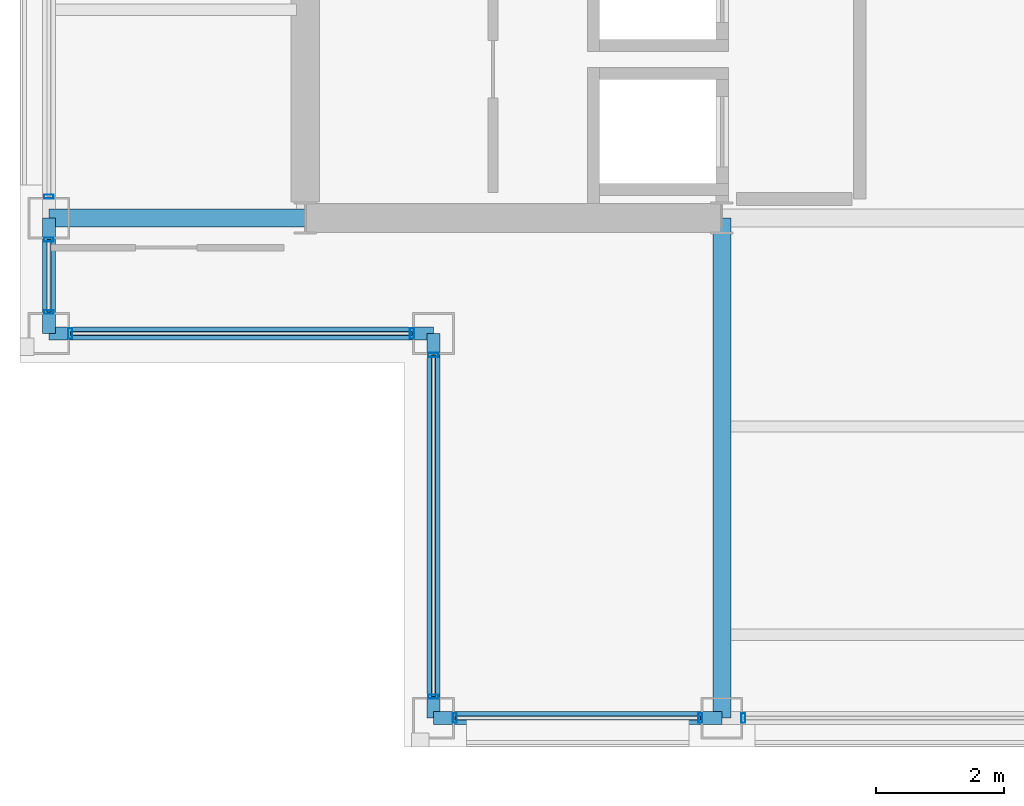
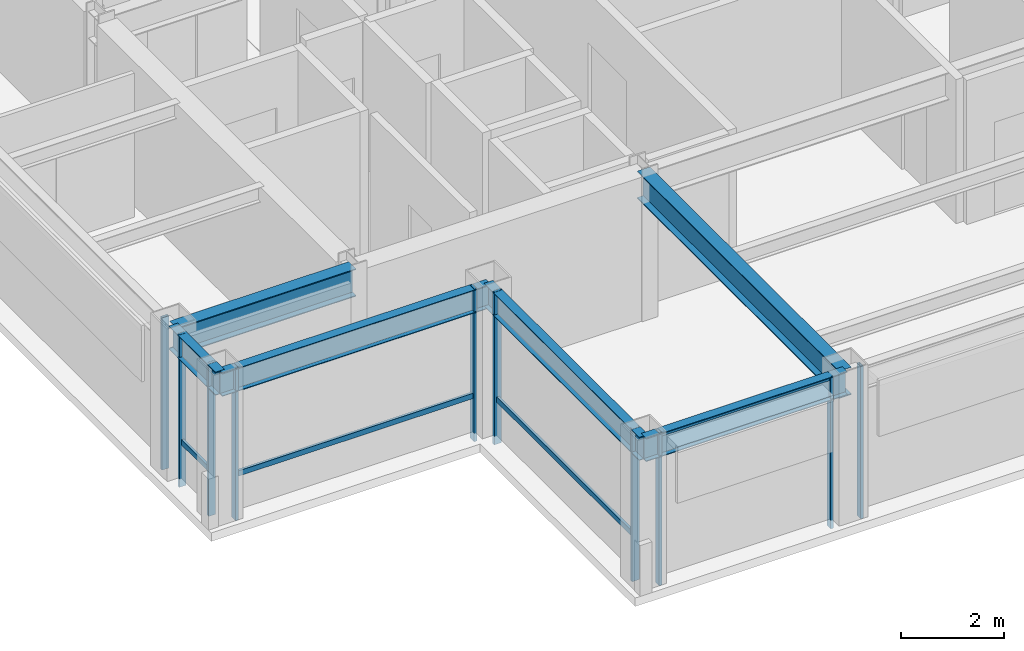
# One storey, part 2 of 23: 14 members, 6 beams, 6 elements without a shape of their own.
"""IFC4 building model written with IfcOpenShell, lengths in metres."""

import ifcopenshell
import ifcopenshell.guid

model = None  # the IFC model being written
_history = None  # IfcOwnerHistory: only IFC2X3 demands one
_inside = {}  # id of a spatial element -> (the spatial element, [elements in it])
_under = {}  # id of a project, library or spatial element -> (it, [spatial elements below it])
_declared = {}  # id of a project -> (the project, [libraries it declares])
_typed = {}  # id of a type object -> (the type object, [elements of that type])
_made_of = {}  # id of a material, layer set ... -> (it, [elements and type objects made of it])


def new_model(schema):
    """Start an empty IFC model of exactly this schema.

    Asked for "IFC4X3", IfcOpenShell would pick the latest addendum, in which some entities
    have other attributes; the version numbers below select the first issue.
    IFC2X3 requires an IfcOwnerHistory on every rooted entity: one is made here for all.
    """
    global model, _history
    if schema == "IFC4X3":
        model = ifcopenshell.file(schema_version=(4, 3, 0, 0))
    else:
        model = ifcopenshell.file(schema=schema)
    _inside.clear()
    _under.clear()
    _declared.clear()
    _typed.clear()
    _made_of.clear()
    _history = None
    if model.schema == "IFC2X3":
        org = make("IfcOrganization", Name="unknown")
        user = make(
            "IfcPersonAndOrganization",
            ThePerson=make("IfcPerson", FamilyName="unknown"),
            TheOrganization=org,
        )
        app = make(
            "IfcApplication",
            ApplicationDeveloper=org,
            Version="unknown",
            ApplicationFullName="unknown",
            ApplicationIdentifier="unknown",
        )
        _history = make(
            "IfcOwnerHistory",
            OwningUser=user,
            OwningApplication=app,
            ChangeAction="ADDED",
            CreationDate=0,
        )
    return model


def make(cls, **values):
    """One entity of the class cls with the attributes given. An attribute that is None is left unset."""
    return model.create_entity(
        cls, **{name: value for name, value in values.items() if value is not None}
    )


def rooted(cls, **values):
    """An entity with a GlobalId (a new one), such as an element, a storey or a relation."""
    return make(cls, GlobalId=ifcopenshell.guid.new(), OwnerHistory=_history, **values)


def si_unit(unit_type, name, prefix=None):
    """IfcSIUnit, for example si_unit("LENGTHUNIT", "METRE", prefix="MILLI")."""
    return make("IfcSIUnit", UnitType=unit_type, Prefix=prefix, Name=name)


def assignment(units):
    """IfcUnitAssignment: the units of a project."""
    return None if units is None else make("IfcUnitAssignment", Units=units)


def point(xyz):
    """IfcCartesianPoint."""
    return None if xyz is None else make("IfcCartesianPoint", Coordinates=xyz)


def direction(xyz):
    """IfcDirection."""
    return None if xyz is None else make("IfcDirection", DirectionRatios=xyz)


def frame(location, z_axis=None, x_axis=None):
    """IfcAxis2Placement3D, a coordinate frame: its origin and axes. An axis left out is left unset."""
    return make(
        "IfcAxis2Placement3D",
        Location=point(location),
        Axis=direction(z_axis),
        RefDirection=direction(x_axis),
    )


def frame_2d(location, x_axis=None):
    """IfcAxis2Placement2D, a coordinate frame in the plane: its origin and x axis."""
    return make(
        "IfcAxis2Placement2D", Location=point(location), RefDirection=direction(x_axis)
    )


def origin():
    """The frame at (0, 0, 0) with its axes left unset."""
    return frame((0.0, 0.0, 0.0))


def origin_2d():
    """The frame at (0, 0) in the plane with its x axis left unset."""
    return frame_2d((0.0, 0.0))


def place(relative_to, where):
    """IfcLocalPlacement: puts the frame where relative to a parent placement (None: the world)."""
    return make(
        "IfcLocalPlacement", PlacementRelTo=relative_to, RelativePlacement=where
    )


def context(
    kind, dimensions, precision=None, world=None, true_north=None, identifier=None
):
    """IfcGeometricRepresentationContext, for example the 3D "Model" context."""
    return make(
        "IfcGeometricRepresentationContext",
        ContextIdentifier=identifier,
        ContextType=kind,
        CoordinateSpaceDimension=dimensions,
        Precision=precision,
        WorldCoordinateSystem=world,
        TrueNorth=true_north,
    )


def subcontext(parent, identifier, kind, view, scale=None):
    """IfcGeometricRepresentationSubContext, for example "Body" below "Model"."""
    return make(
        "IfcGeometricRepresentationSubContext",
        ContextIdentifier=identifier,
        ContextType=kind,
        ParentContext=parent,
        TargetScale=scale,
        TargetView=view,
    )


def project(units=None, contexts=None):
    """IfcProject with its units and contexts."""
    return rooted(
        "IfcProject",
        Name="project",
        RepresentationContexts=contexts,
        UnitsInContext=assignment(units),
    )


def spatial(cls, under=None, at=None, **own):
    """A site, building, storey or space (cls), placed at a placement, below another one or the project."""
    s = rooted(cls, ObjectPlacement=at, **own)
    if under is not None:
        _under.setdefault(under.id(), (under, []))[1].append(s)
    return s


def profile(cls, at=None, kind="AREA", **sizes):
    """A parametric profile (cls). Its sizes go by their IFC names, for example OverallWidth=200.0."""
    return make(cls, ProfileType=kind, Position=at, **sizes)


def hollow_rectangle(**sizes):
    """IfcRectangleHollowProfileDef."""
    return profile("IfcRectangleHollowProfileDef", **sizes)


def i_section(**sizes):
    """IfcIShapeProfileDef."""
    return profile("IfcIShapeProfileDef", **sizes)


def extrude(swept, where, along, depth):
    """IfcExtrudedAreaSolid: the profile swept, set in the frame where, extruded along a direction by depth."""
    return make(
        "IfcExtrudedAreaSolid",
        SweptArea=swept,
        Position=where,
        ExtrudedDirection=direction(along),
        Depth=depth,
    )


def shape(context_of_items, identifier, shape_type, items):
    """IfcShapeRepresentation: the items that make up one representation, for example the "Body"."""
    return make(
        "IfcShapeRepresentation",
        ContextOfItems=context_of_items,
        RepresentationIdentifier=identifier,
        RepresentationType=shape_type,
        Items=items,
    )


def material(Name=None, Category=None):
    """IfcMaterial."""
    return make("IfcMaterial", Name=Name, Category=Category)


def layer(
    of_material, thickness, ventilated=None, Name=None, Category=None, Priority=None
):
    """IfcMaterialLayer: one layer of a wall or slab, of a material (None: an air gap)."""
    return make(
        "IfcMaterialLayer",
        Material=of_material,
        LayerThickness=thickness,
        IsVentilated=ventilated,
        Name=Name,
        Category=Category,
        Priority=Priority,
    )


def layer_set(layers, Name=None):
    """IfcMaterialLayerSet."""
    return make("IfcMaterialLayerSet", MaterialLayers=layers, LayerSetName=Name)


def material_profile(
    of_material, cross_section, Name=None, Category=None, Priority=None
):
    """IfcMaterialProfile: a cross section and its material."""
    return make(
        "IfcMaterialProfile",
        Name=Name,
        Material=of_material,
        Profile=cross_section,
        Priority=Priority,
        Category=Category,
    )


def profile_set(profiles, Name=None, composite=None):
    """IfcMaterialProfileSet."""
    return make(
        "IfcMaterialProfileSet",
        Name=Name,
        MaterialProfiles=profiles,
        CompositeProfile=composite,
    )


def made_of(thing, what):
    """Note that an element or type object is made of a material, layer set ...; save() writes the relation."""
    if what is not None:
        _made_of.setdefault(what.id(), (what, []))[1].append(thing)
    return thing


def type_object(cls, material=None, **own):
    """A type object (cls), such as IfcWallType, which elements share."""
    return made_of(rooted(cls, **own), material)


def element(
    cls,
    number,
    at=None,
    inside=None,
    cuts=None,
    type_object=None,
    material=None,
    context=None,
    identifier="Body",
    shape_type=None,
    held_by="IfcProductDefinitionShape",
    body=None,
    shapes=None,
    **own,
):
    """One element of the class cls, such as IfcWall. Its Tag is "e" and its number.

    at: its placement. inside: the storey or other place that contains it. cuts: it is an
    opening in that element (IfcRelVoidsElement). A single representation is given by context,
    identifier, shape_type and body (its items); several are given by shapes. held_by: the class
    of the entity that holds the representations. save() writes the other relations.
    """
    e = rooted(cls, Tag="e%d" % number, ObjectPlacement=at, **own)
    if body is not None:
        shapes = [shape(context, identifier, shape_type, body)]
    if shapes is not None:
        e.Representation = make(held_by, Representations=shapes)
    if inside is not None:
        _inside.setdefault(inside.id(), (inside, []))[1].append(e)
    if cuts is not None:
        rooted(
            "IfcRelVoidsElement", RelatingBuildingElement=cuts, RelatedOpeningElement=e
        )
    if type_object is not None:
        _typed.setdefault(type_object.id(), (type_object, []))[1].append(e)
    return made_of(e, material)


def aggregate(whole, parts):
    """IfcRelAggregates: a whole, such as a stair, and the parts it consists of."""
    return rooted("IfcRelAggregates", RelatingObject=whole, RelatedObjects=parts)


def save(model, path):
    """Write the relations noted so far, then the file.

    IfcRelAggregates (storeys below a building ...), IfcRelContainedInSpatialStructure (elements
    in a storey), IfcRelDefinesByType, IfcRelAssociatesMaterial and IfcRelDeclares: one each for
    every whole, place, type object, material and project.
    """
    for whole, parts in _under.values():
        aggregate(whole, parts)
    for where, things in _inside.values():
        rooted(
            "IfcRelContainedInSpatialStructure",
            RelatedElements=things,
            RelatingStructure=where,
        )
    for kind, things in _typed.values():
        rooted("IfcRelDefinesByType", RelatedObjects=things, RelatingType=kind)
    for what, things in _made_of.values():
        rooted("IfcRelAssociatesMaterial", RelatedObjects=things, RelatingMaterial=what)
    for by, libraries in _declared.values():
        rooted("IfcRelDeclares", RelatingContext=by, RelatedDefinitions=libraries)
    model.write(path)


model = new_model("IFC4")

# Units and contexts
model_context = context("Model", 3, precision=1e-05, world=origin(), true_north=direction((0.0, 1.0)))
body_context = subcontext(model_context, "Body", "Model", "MODEL_VIEW")
ifc_project = project(units=[si_unit("LENGTHUNIT", "METRE"), si_unit("AREAUNIT", "SQUARE_METRE"), si_unit("VOLUMEUNIT", "CUBIC_METRE"), si_unit("PLANEANGLEUNIT", "RADIAN"), si_unit("MASSUNIT", "GRAM", prefix="KILO")], contexts=[model_context])

# Site, building, storey
site_placement = place(None, origin())
site = spatial("IfcSite", under=ifc_project, at=site_placement, CompositionType="ELEMENT")
building_placement = place(site_placement, origin())
building = spatial("IfcBuilding", under=site, at=building_placement, Name="Brelmoor Portico Tower", CompositionType="ELEMENT")
storey_placement = place(building_placement, frame((0.0, 0.0, 222.0)))
storey = spatial("IfcBuildingStorey", under=building, at=storey_placement, Name="L58", CompositionType="ELEMENT", Elevation=222.0)

# Beams
ifc_material_1 = material(Name="Steel Q355B", Category="steel")
ifc_material_profile_1 = material_profile(ifc_material_1, i_section(OverallWidth=0.280029296875, OverallDepth=0.64990234375, WebThickness=0.012939453125, FlangeThickness=0.02197265625, at=origin_2d()), Name="HN 650x280x13x22")
ifc_profile_set_1 = profile_set([ifc_material_profile_1], Name="Steel Q355B")
beam_type_1 = type_object("IfcBeamType", Name="BM-PG-650", PredefinedType="BEAM", material=ifc_profile_set_1)
beam_1_placement = place(storey_placement, frame((-8.050048828125, -17.550048828125, 3.074951171875), z_axis=(0.0, 1.0, 0.0), x_axis=(-1.0, 0.0, 0.0)))
element("IfcBeam", 1, at=beam_1_placement, inside=storey, type_object=beam_type_1, Name="L58 Primary Floor Girder PG-03", PredefinedType="BEAM", context=body_context, shape_type="SweptSolid", body=[
    extrude(i_section(OverallWidth=0.280029296875, OverallDepth=0.64990234375, WebThickness=0.012939453125, FlangeThickness=0.02197265625, at=origin_2d()), origin(), (0.0, 0.0, 1.0), 7.800048828125),
])
beam_2_placement = place(storey_placement, frame((-18.550048828125, -9.75, 3.074951171875), z_axis=(1.0, 0.0, 0.0), x_axis=(0.0, 1.0, 0.0)))
element("IfcBeam", 2, at=beam_2_placement, inside=storey, type_object=beam_type_1, Name="L58 Primary Floor Girder PG-11", PredefinedType="BEAM", context=body_context, shape_type="SweptSolid", body=[
    extrude(i_section(OverallWidth=0.280029296875, OverallDepth=0.64990234375, WebThickness=0.012939453125, FlangeThickness=0.02197265625, at=origin_2d()), origin(), (0.0, 0.0, 1.0), 4.0),
])
ifc_material_profile_2 = material_profile(ifc_material_1, i_section(OverallWidth=0.199951171875, OverallDepth=0.550048828125, WebThickness=0.010009765625, FlangeThickness=0.01611328125, at=origin_2d()), Name="HN 550x200x10x16")
ifc_profile_set_2 = profile_set([ifc_material_profile_2], Name="Steel Q355B")
beam_type_2 = type_object("IfcBeamType", Name="BM-SP-550", PredefinedType="SPANDREL", material=ifc_profile_set_2)
beam_3_placement = place(storey_placement, frame((-12.550048828125, -17.550048828125, 3.125), z_axis=(1.0, 0.0, 0.0), x_axis=(0.0, 1.0, 0.0)))
element("IfcBeam", 3, at=beam_3_placement, inside=storey, type_object=beam_type_2, Name="L58 Perimeter Spandrel Beam SP-01", PredefinedType="SPANDREL", context=body_context, shape_type="SweptSolid", body=[
    extrude(i_section(OverallWidth=0.199951171875, OverallDepth=0.550048828125, WebThickness=0.010009765625, FlangeThickness=0.01611328125, at=origin_2d()), origin(), (0.0, 0.0, 1.0), 4.5),
])
beam_4_placement = place(storey_placement, frame((-18.550048828125, -11.550048828125, 3.125), z_axis=(1.0, 0.0, 0.0), x_axis=(0.0, 1.0, 0.0)))
element("IfcBeam", 4, at=beam_4_placement, inside=storey, type_object=beam_type_2, Name="L58 Perimeter Spandrel Beam SP-04", PredefinedType="SPANDREL", context=body_context, shape_type="SweptSolid", body=[
    extrude(i_section(OverallWidth=0.199951171875, OverallDepth=0.550048828125, WebThickness=0.010009765625, FlangeThickness=0.01611328125, at=origin_2d()), origin(), (0.0, 0.0, 1.0), 6.0),
])
beam_5_placement = place(storey_placement, frame((-18.550048828125, -11.550048828125, 3.125), z_axis=(0.0, 1.0, 0.0), x_axis=(-1.0, 0.0, 0.0)))
element("IfcBeam", 5, at=beam_5_placement, inside=storey, type_object=beam_type_2, Name="L58 Perimeter Spandrel Beam SP-11", PredefinedType="SPANDREL", context=body_context, shape_type="SweptSolid", body=[
    extrude(i_section(OverallWidth=0.199951171875, OverallDepth=0.550048828125, WebThickness=0.010009765625, FlangeThickness=0.01611328125, at=origin_2d()), origin(), (0.0, 0.0, 1.0), 1.800048828125),
])
beam_6_placement = place(storey_placement, frame((-12.550048828125, -17.550048828125, 3.125), z_axis=(0.0, 1.0, 0.0), x_axis=(-1.0, 0.0, 0.0)))
element("IfcBeam", 6, at=beam_6_placement, inside=storey, type_object=beam_type_2, Name="L58 Perimeter Spandrel Beam SP-14", PredefinedType="SPANDREL", context=body_context, shape_type="SweptSolid", body=[
    extrude(i_section(OverallWidth=0.199951171875, OverallDepth=0.550048828125, WebThickness=0.010009765625, FlangeThickness=0.01611328125, at=origin_2d()), origin(), (0.0, 0.0, 1.0), 6.0),
])

# Curtain wall, members
ifc_material_2 = material(Name="Anodised Aluminium Alloy 6063-T6", Category="aluminium")
ifc_layer_1 = layer(ifc_material_2, 0.179931640625)
ifc_layer_set_1 = layer_set([ifc_layer_1], Name="Anodised Aluminium Alloy 6063-T6")
curtain_wall_type_1 = type_object("IfcCurtainWallType", Name="CW-TOWER-Z4-XB", PredefinedType="NOTDEFINED", material=ifc_layer_set_1)
curtain_wall_1_placement = place(storey_placement, origin())
curtain_wall_1 = element("IfcCurtainWall", 7, at=curtain_wall_1_placement, inside=storey, type_object=curtain_wall_type_1, Name="L58 Curtain Wall CW-L58-01-1", PredefinedType="NOTDEFINED")
ifc_material_profile_3 = material_profile(ifc_material_2, hollow_rectangle(XDim=0.06005859375, YDim=0.14990234375, WallThickness=0.00390625, at=origin_2d()), Name="ALU MULLION 60x150")
ifc_profile_set_3 = profile_set([ifc_material_profile_3], Name="Anodised Aluminium Alloy 6063-T6")
member_type_1 = type_object("IfcMemberType", Name="MB-CW-MULL-150", PredefinedType="MULLION", material=ifc_profile_set_3)
member_1_placement = place(storey_placement, frame((-12.215087890625, -17.550048828125, -0.199951171875), z_axis=(0.0, 0.0, 1.0), x_axis=(1.0, 0.0, 0.0)))
member_1 = element("IfcMember", 8, at=member_1_placement, type_object=member_type_1, Name="CW-L58-01-1 Mullion 00", PredefinedType="MULLION", context=body_context, shape_type="SweptSolid", body=[
    extrude(hollow_rectangle(XDim=0.06005859375, YDim=0.14990234375, WallThickness=0.00390625, at=origin_2d()), origin(), (0.0, 0.0, 1.0), 3.599853515625),
])
member_2_placement = place(storey_placement, frame((-8.385009765625, -17.550048828125, -0.199951171875), z_axis=(0.0, 0.0, 1.0), x_axis=(1.0, 0.0, 0.0)))
member_2 = element("IfcMember", 9, at=member_2_placement, type_object=member_type_1, Name="CW-L58-01-1 Mullion 01", PredefinedType="MULLION", context=body_context, shape_type="SweptSolid", body=[
    extrude(hollow_rectangle(XDim=0.06005859375, YDim=0.14990234375, WallThickness=0.00390625, at=origin_2d()), origin(), (0.0, 0.0, 1.0), 3.599853515625),
])

# Curtain wall, member
curtain_wall_2_placement = place(storey_placement, origin())
curtain_wall_2 = element("IfcCurtainWall", 10, at=curtain_wall_2_placement, inside=storey, type_object=curtain_wall_type_1, Name="L58 Curtain Wall CW-L58-01-2", PredefinedType="NOTDEFINED")
member_3_placement = place(storey_placement, frame((-7.715087890625, -17.550048828125, -0.199951171875), z_axis=(0.0, 0.0, 1.0), x_axis=(1.0, 0.0, 0.0)))
member_3 = element("IfcMember", 11, at=member_3_placement, type_object=member_type_1, Name="CW-L58-01-2 Mullion 00", PredefinedType="MULLION", context=body_context, shape_type="SweptSolid", body=[
    extrude(hollow_rectangle(XDim=0.06005859375, YDim=0.14990234375, WallThickness=0.00390625, at=origin_2d()), origin(), (0.0, 0.0, 1.0), 3.599853515625),
])
aggregate(curtain_wall_2, [member_3])

# Curtain wall, members
ifc_layer_2 = layer(ifc_material_2, 0.179931640625)
ifc_layer_set_2 = layer_set([ifc_layer_2], Name="Anodised Aluminium Alloy 6063-T6")
curtain_wall_type_2 = type_object("IfcCurtainWallType", Name="CW-TOWER-Z4", PredefinedType="NOTDEFINED", material=ifc_layer_set_2)
curtain_wall_3_placement = place(storey_placement, origin())
curtain_wall_3 = element("IfcCurtainWall", 12, at=curtain_wall_3_placement, inside=storey, type_object=curtain_wall_type_2, Name="L58 Curtain Wall CW-L58-03-1", PredefinedType="NOTDEFINED")
member_4_placement = place(storey_placement, frame((-18.550048828125, -11.215087890625, -0.199951171875), z_axis=(0.0, 0.0, 1.0), x_axis=(0.0, 1.0, 0.0)))
member_4 = element("IfcMember", 13, at=member_4_placement, type_object=member_type_1, Name="CW-L58-03-1 Mullion 00", PredefinedType="MULLION", context=body_context, shape_type="SweptSolid", body=[
    extrude(hollow_rectangle(XDim=0.06005859375, YDim=0.14990234375, WallThickness=0.00390625, at=origin_2d()), origin(), (0.0, 0.0, 1.0), 3.599853515625),
])
member_5_placement = place(storey_placement, frame((-18.550048828125, -10.0849609375, -0.199951171875), z_axis=(0.0, 0.0, 1.0), x_axis=(0.0, 1.0, 0.0)))
member_5 = element("IfcMember", 14, at=member_5_placement, type_object=member_type_1, Name="CW-L58-03-1 Mullion 01", PredefinedType="MULLION", context=body_context, shape_type="SweptSolid", body=[
    extrude(hollow_rectangle(XDim=0.06005859375, YDim=0.14990234375, WallThickness=0.00390625, at=origin_2d()), origin(), (0.0, 0.0, 1.0), 3.599853515625),
])

# Curtain wall, member
curtain_wall_4_placement = place(storey_placement, origin())
curtain_wall_4 = element("IfcCurtainWall", 15, at=curtain_wall_4_placement, inside=storey, type_object=curtain_wall_type_1, Name="L58 Curtain Wall CW-L58-03-2", PredefinedType="NOTDEFINED")
member_6_placement = place(storey_placement, frame((-18.550048828125, -9.4150390625, -0.199951171875), z_axis=(0.0, 0.0, 1.0), x_axis=(0.0, 1.0, 0.0)))
member_6 = element("IfcMember", 16, at=member_6_placement, type_object=member_type_1, Name="CW-L58-03-2 Mullion 00", PredefinedType="MULLION", context=body_context, shape_type="SweptSolid", body=[
    extrude(hollow_rectangle(XDim=0.06005859375, YDim=0.14990234375, WallThickness=0.00390625, at=origin_2d()), origin(), (0.0, 0.0, 1.0), 3.599853515625),
])
aggregate(curtain_wall_4, [member_6])

# Curtain wall, members
ifc_layer_3 = layer(ifc_material_2, 0.179931640625)
ifc_layer_set_3 = layer_set([ifc_layer_3], Name="Anodised Aluminium Alloy 6063-T6")
curtain_wall_type_3 = type_object("IfcCurtainWallType", Name="CW-NOTCH-CHAMFER", PredefinedType="NOTDEFINED", material=ifc_layer_set_3)
curtain_wall_5_placement = place(storey_placement, origin())
curtain_wall_5 = element("IfcCurtainWall", 17, at=curtain_wall_5_placement, inside=storey, type_object=curtain_wall_type_3, Name="L58 Curtain Wall CWN-L58-SWH", PredefinedType="NOTDEFINED")
ifc_material_profile_4 = material_profile(ifc_material_2, hollow_rectangle(XDim=0.06494140625, YDim=0.1650390625, WallThickness=0.00390625, at=origin_2d()), Name="ALU MULLION 65x165")
ifc_profile_set_4 = profile_set([ifc_material_profile_4], Name="Anodised Aluminium Alloy 6063-T6")
member_type_2 = type_object("IfcMemberType", Name="MB-CW-MULL-165", PredefinedType="MULLION", material=ifc_profile_set_4)
member_7_placement = place(storey_placement, frame((-18.215087890625, -11.550048828125, -0.199951171875), z_axis=(0.0, 0.0, 1.0), x_axis=(1.0, 0.0, 0.0)))
member_7 = element("IfcMember", 18, at=member_7_placement, type_object=member_type_2, Name="CWN-L58-SWH Mullion 00", PredefinedType="MULLION", context=body_context, shape_type="SweptSolid", body=[
    extrude(hollow_rectangle(XDim=0.06494140625, YDim=0.1650390625, WallThickness=0.00390625, at=origin_2d()), origin(), (0.0, 0.0, 1.0), 3.599853515625),
])
member_8_placement = place(storey_placement, frame((-12.885009765625, -11.550048828125, -0.199951171875), z_axis=(0.0, 0.0, 1.0), x_axis=(1.0, 0.0, 0.0)))
member_8 = element("IfcMember", 19, at=member_8_placement, type_object=member_type_2, Name="CWN-L58-SWH Mullion 01", PredefinedType="MULLION", context=body_context, shape_type="SweptSolid", body=[
    extrude(hollow_rectangle(XDim=0.06494140625, YDim=0.1650390625, WallThickness=0.00390625, at=origin_2d()), origin(), (0.0, 0.0, 1.0), 3.599853515625),
])

curtain_wall_6_placement = place(storey_placement, origin())
curtain_wall_6 = element("IfcCurtainWall", 20, at=curtain_wall_6_placement, inside=storey, type_object=curtain_wall_type_3, Name="L58 Curtain Wall CWN-L58-SWV", PredefinedType="NOTDEFINED")
member_9_placement = place(storey_placement, frame((-12.550048828125, -17.215087890625, -0.199951171875), z_axis=(0.0, 0.0, 1.0), x_axis=(0.0, 1.0, 0.0)))
member_9 = element("IfcMember", 21, at=member_9_placement, type_object=member_type_2, Name="CWN-L58-SWV Mullion 00", PredefinedType="MULLION", context=body_context, shape_type="SweptSolid", body=[
    extrude(hollow_rectangle(XDim=0.06494140625, YDim=0.1650390625, WallThickness=0.00390625, at=origin_2d()), origin(), (0.0, 0.0, 1.0), 3.599853515625),
])
member_10_placement = place(storey_placement, frame((-12.550048828125, -11.885009765625, -0.199951171875), z_axis=(0.0, 0.0, 1.0), x_axis=(0.0, 1.0, 0.0)))
member_10 = element("IfcMember", 22, at=member_10_placement, type_object=member_type_2, Name="CWN-L58-SWV Mullion 01", PredefinedType="MULLION", context=body_context, shape_type="SweptSolid", body=[
    extrude(hollow_rectangle(XDim=0.06494140625, YDim=0.1650390625, WallThickness=0.00390625, at=origin_2d()), origin(), (0.0, 0.0, 1.0), 3.599853515625),
])

# Member
ifc_material_profile_5 = material_profile(ifc_material_2, hollow_rectangle(XDim=0.06005859375, YDim=0.125, WallThickness=0.00341796875, at=origin_2d()), Name="ALU TRANSOM 60x125")
ifc_profile_set_5 = profile_set([ifc_material_profile_5], Name="Anodised Aluminium Alloy 6063-T6")
member_type_3 = type_object("IfcMemberType", Name="MB-CW-TRAN-125", PredefinedType="USERDEFINED", material=ifc_profile_set_5)
member_11_placement = place(storey_placement, frame((-12.215087890625, -17.550048828125, 3.33740234375), z_axis=(1.0, 0.0, 0.0), x_axis=(0.0, 1.0, 0.0)))
member_11 = element("IfcMember", 23, at=member_11_placement, type_object=member_type_3, Name="CW-L58-01-1 Transom 1-00", ObjectType="TRANSOM", PredefinedType="USERDEFINED", context=body_context, shape_type="SweptSolid", body=[
    extrude(hollow_rectangle(XDim=0.06005859375, YDim=0.125, WallThickness=0.00341796875, at=origin_2d()), origin(), (0.0, 0.0, 1.0), 3.830078125),
])

aggregate(curtain_wall_1, [member_1, member_2, member_11])

member_12_placement = place(storey_placement, frame((-18.550048828125, -11.215087890625, 0.85009765625), z_axis=(0.0, 1.0, 0.0), x_axis=(-1.0, 0.0, 0.0)))
member_12 = element("IfcMember", 24, at=member_12_placement, type_object=member_type_3, Name="CW-L58-03-1 Transom 1-00", ObjectType="TRANSOM", PredefinedType="USERDEFINED", context=body_context, shape_type="SweptSolid", body=[
    extrude(hollow_rectangle(XDim=0.06005859375, YDim=0.125, WallThickness=0.00341796875, at=origin_2d()), origin(), (0.0, 0.0, 1.0), 1.130126953125),
])

aggregate(curtain_wall_3, [member_4, member_5, member_12])

member_13_placement = place(storey_placement, frame((-18.215087890625, -11.550048828125, 0.85009765625), z_axis=(1.0, 0.0, 0.0), x_axis=(0.0, 1.0, 0.0)))
member_13 = element("IfcMember", 25, at=member_13_placement, type_object=member_type_3, Name="CWN-L58-SWH Transom 1-00", ObjectType="TRANSOM", PredefinedType="USERDEFINED", context=body_context, shape_type="SweptSolid", body=[
    extrude(hollow_rectangle(XDim=0.06005859375, YDim=0.125, WallThickness=0.00341796875, at=origin_2d()), origin(), (0.0, 0.0, 1.0), 5.330078125),
])

aggregate(curtain_wall_5, [member_7, member_8, member_13])

member_14_placement = place(storey_placement, frame((-12.550048828125, -17.215087890625, 0.85009765625), z_axis=(0.0, 1.0, 0.0), x_axis=(-1.0, 0.0, 0.0)))
member_14 = element("IfcMember", 26, at=member_14_placement, type_object=member_type_3, Name="CWN-L58-SWV Transom 1-00", ObjectType="TRANSOM", PredefinedType="USERDEFINED", context=body_context, shape_type="SweptSolid", body=[
    extrude(hollow_rectangle(XDim=0.06005859375, YDim=0.125, WallThickness=0.00341796875, at=origin_2d()), origin(), (0.0, 0.0, 1.0), 5.330078125),
])

aggregate(curtain_wall_6, [member_9, member_10, member_14])

save(model, "model.ifc")
